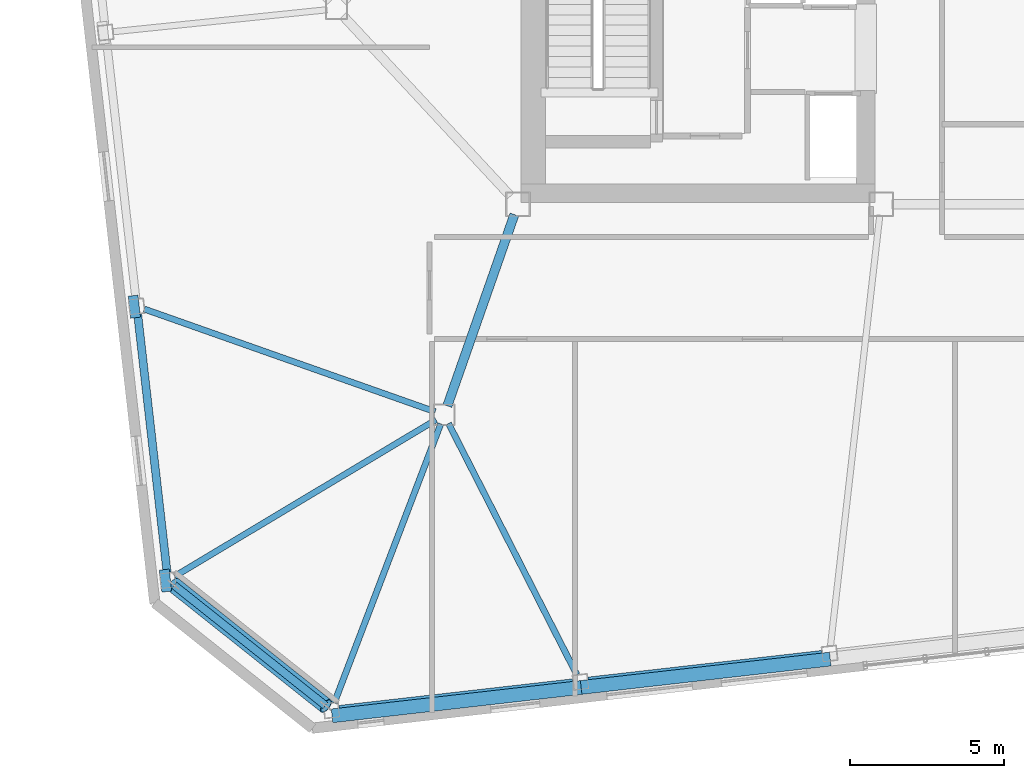
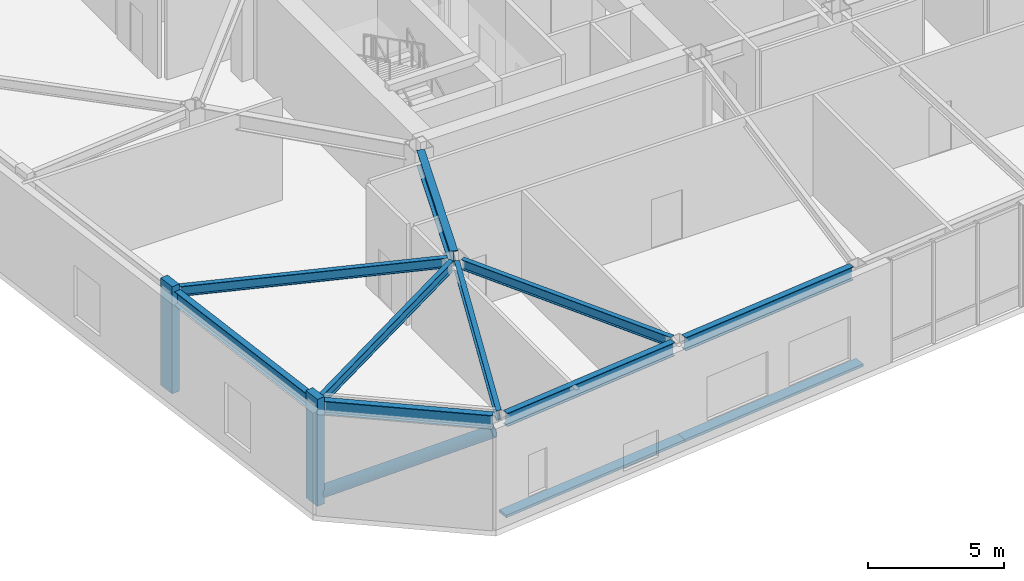
# One storey, part 5 of 21: 9 beams, 5 members.
"""IFC4 building model written with IfcOpenShell, lengths in metres."""

from ifc_helpers import new_model, si_unit, direction, frame, origin, origin_2d, place, context, subcontext, project, spatial, rectangle, hollow_circle, i_section, extrude, material, material_profile, profile_set, type_object, element, save


model = new_model("IFC4")

# Units and contexts
model_context = context("Model", 3, precision=1e-05, world=origin(), true_north=direction((0.0, 1.0)))
body_context = subcontext(model_context, "Body", "Model", "MODEL_VIEW")
ifc_project = project(units=[si_unit("LENGTHUNIT", "METRE"), si_unit("AREAUNIT", "SQUARE_METRE"), si_unit("VOLUMEUNIT", "CUBIC_METRE"), si_unit("PLANEANGLEUNIT", "RADIAN"), si_unit("MASSUNIT", "GRAM", prefix="KILO")], contexts=[model_context])

# Site, building, storey
site_placement = place(None, origin())
site = spatial("IfcSite", under=ifc_project, at=site_placement, CompositionType="ELEMENT")
building_placement = place(site_placement, origin())
building = spatial("IfcBuilding", under=site, at=building_placement, Name="Tavrogorsk Clinical Tower", CompositionType="ELEMENT")
storey_placement = place(building_placement, frame((0.0, 0.0, 238.199951171875)))
storey = spatial("IfcBuildingStorey", under=building, at=storey_placement, Name="L55", CompositionType="ELEMENT", Elevation=238.199951171875)

# Members
ifc_material_1 = material(Name="Anodised aluminium alloy AW-6063", Category="aluminium")
ifc_material_profile_1 = material_profile(ifc_material_1, rectangle(XDim=0.449951171875, YDim=0.1201171875, at=origin_2d()), Name="ALU-SUNSHADE-450x120")
ifc_profile_set_1 = profile_set([ifc_material_profile_1], Name="Anodised aluminium alloy AW-6063")
member_type_1 = type_object("IfcMemberType", Name="ChicagoSunshade_450x120", PredefinedType="USERDEFINED", material=ifc_profile_set_1)
for number, where, z_axis, x_axis, name in (
    (1, (-28.144287109375, -22.981201171875, 0.179931640625), (0.9935729766, 0.113193375116, 0.0), (-0.113193375116, 0.9935729766, 0.0), "L55 South Aluminium Sunshade S1"),
    (2, (-20.048095703125, -22.058837890625, 0.179931640625), (0.9935729766, 0.113193375116, 0.0), (-0.113193375116, 0.9935729766, 0.0), "L55 South Aluminium Sunshade S2"),
):
    element("IfcMember", number, at=place(storey_placement, frame(where, z_axis=z_axis, x_axis=x_axis)), inside=storey, type_object=member_type_1, Name=name, ObjectType="SUNSHADE", PredefinedType="USERDEFINED", context=body_context, shape_type="SweptSolid", body=[
        extrude(rectangle(XDim=0.449951171875, YDim=0.1201171875, at=origin_2d()), origin(), (0.0, 0.0, 1.0), 8.148681640625),
    ])
ifc_material_2 = material(Name="Structural steel S440", Category="steel")
ifc_material_profile_2 = material_profile(ifc_material_2, hollow_circle(Radius=0.25390625, WallThickness=0.02001953125, at=origin_2d()), Name="CHS-508x20")
ifc_profile_set_2 = profile_set([ifc_material_profile_2], Name="Structural steel S440")
member_type_2 = type_object("IfcMemberType", Name="ExoBrace_CHS508", PredefinedType="BRACE", material=ifc_profile_set_2)
member_placement = place(storey_placement, frame((-33.298828125, -18.71875, 0.420654296875), z_axis=(0.691823931456, -0.550275759846, 0.467521374903), x_axis=(0.622496730727, 0.782622399523, 0.0)))
element("IfcMember", 3, at=member_placement, inside=storey, type_object=member_type_2, Name="L55 Corner Exoskeleton Brace W5-S1", PredefinedType="BRACE", context=body_context, shape_type="SweptSolid", body=[
    extrude(hollow_circle(Radius=0.25390625, WallThickness=0.02001953125, at=origin_2d()), origin(), (0.0, 0.0, 1.0), 7.1630859375),
])

# Beams
ifc_material_3 = material(Name="Structural steel S355", Category="steel")
ifc_material_profile_3 = material_profile(ifc_material_3, i_section(OverallWidth=0.199951171875, OverallDepth=0.449951171875, WebThickness=0.011474609375, FlangeThickness=0.01806640625, at=origin_2d()), Name="B-450x200x11.5x18")
ifc_profile_set_3 = profile_set([ifc_material_profile_3], Name="Structural steel S355")
beam_type_1 = type_object("IfcBeamType", Name="FloorBeam_B450", PredefinedType="BEAM", material=ifc_profile_set_3)
beam_1_placement = place(storey_placement, frame((-24.610595703125, -13.489501953125, 4.31494140625), z_axis=(-0.356548354426, -0.93427687061, 0.0), x_axis=(0.93427687061, -0.356548354426, 0.0)))
element("IfcBeam", 4, at=beam_1_placement, inside=storey, type_object=beam_type_1, Name="L55 Radial Floor Beam S1", PredefinedType="BEAM", context=body_context, shape_type="SweptSolid", body=[
    extrude(i_section(OverallWidth=0.199951171875, OverallDepth=0.449951171875, WebThickness=0.011474609375, FlangeThickness=0.01806640625, at=origin_2d()), origin(), (0.0, 0.0, 1.0), 9.710205078125),
])
beam_2_placement = place(storey_placement, frame((-24.359130859375, -13.47607421875, 4.31494140625), z_axis=(0.454709818127, -0.890639647275, 0.0), x_axis=(0.890639647275, 0.454709818127, 0.0)))
element("IfcBeam", 5, at=beam_2_placement, inside=storey, type_object=beam_type_1, Name="L55 Radial Floor Beam S2", PredefinedType="BEAM", context=body_context, shape_type="SweptSolid", body=[
    extrude(i_section(OverallWidth=0.199951171875, OverallDepth=0.449951171875, WebThickness=0.011474609375, FlangeThickness=0.01806640625, at=origin_2d()), origin(), (0.0, 0.0, 1.0), 9.177978515625),
])
beam_3_placement = place(storey_placement, frame((-24.792236328125, -13.096923828125, 4.31494140625), z_axis=(-0.943014153926, 0.332752619067, 0.0), x_axis=(-0.332752619067, -0.943014153926, 0.0)))
element("IfcBeam", 6, at=beam_3_placement, inside=storey, type_object=beam_type_1, Name="L55 Radial Floor Beam W4", PredefinedType="BEAM", context=body_context, shape_type="SweptSolid", body=[
    extrude(i_section(OverallWidth=0.199951171875, OverallDepth=0.449951171875, WebThickness=0.011474609375, FlangeThickness=0.01806640625, at=origin_2d()), origin(), (0.0, 0.0, 1.0), 10.027587890625),
])
beam_4_placement = place(storey_placement, frame((-24.765869140625, -13.359375, 4.31494140625), z_axis=(-0.857906237315, -0.513806274754, 0.0), x_axis=(0.513806274754, -0.857906237315, 0.0)))
element("IfcBeam", 7, at=beam_4_placement, inside=storey, type_object=beam_type_1, Name="L55 Radial Floor Beam W5", PredefinedType="BEAM", context=body_context, shape_type="SweptSolid", body=[
    extrude(i_section(OverallWidth=0.199951171875, OverallDepth=0.449951171875, WebThickness=0.011474609375, FlangeThickness=0.01806640625, at=origin_2d()), origin(), (0.0, 0.0, 1.0), 9.896240234375),
])

# Members
ifc_material_4 = material(Name="Precast concrete B45 with limestone cladding", Category="masonry")
ifc_material_profile_4 = material_profile(ifc_material_4, rectangle(XDim=0.320068359375, YDim=0.719970703125, at=origin_2d()), Name="LIMESTONE-FIN-320x720")
ifc_profile_set_4 = profile_set([ifc_material_profile_4], Name="Precast concrete B45 with limestone cladding")
member_type_3 = type_object("IfcMemberType", Name="LimestonePleatFin_320x720", PredefinedType="USERDEFINED", material=ifc_profile_set_4)
for number, where, z_axis, x_axis, name in (
    (8, (-34.571044921875, -9.683349609375, 0.0), (0.0, 0.0, 1.0), (0.993571855677, 0.113203213768, 0.0), "L55 W Pleated Stone Fin 3"),
    (9, (-33.556640625, -18.585693359375, 0.0), (0.0, 0.0, 1.0), (0.993571855677, 0.113203213768, 0.0), "L55 W Pleated Stone Fin 4"),
):
    element("IfcMember", number, at=place(storey_placement, frame(where, z_axis=z_axis, x_axis=x_axis)), inside=storey, type_object=member_type_3, Name=name, ObjectType="FIN", PredefinedType="USERDEFINED", context=body_context, shape_type="SweptSolid", body=[
        extrude(rectangle(XDim=0.320068359375, YDim=0.719970703125, at=origin_2d()), origin(), (0.0, 0.0, 1.0), 4.800048828125),
    ])

# Beams
ifc_material_5 = material(Name="Structural steel S390", Category="steel")
ifc_material_profile_5 = material_profile(ifc_material_5, i_section(OverallWidth=0.300048828125, OverallDepth=0.699951171875, WebThickness=0.01708984375, FlangeThickness=0.028076171875, at=origin_2d()), Name="B-700x300x17x28")
ifc_profile_set_5 = profile_set([ifc_material_profile_5], Name="Structural steel S390")
beam_type_2 = type_object("IfcBeamType", Name="PrimaryGirder_B700", PredefinedType="USERDEFINED", material=ifc_profile_set_5)
beam_5_placement = place(storey_placement, frame((-24.3974609375, -12.907470703125, 4.18994140625), z_axis=(0.330654121425, 0.943752007672, 0.0), x_axis=(-0.943752007672, 0.330654121425, 0.0)))
element("IfcBeam", 10, at=beam_5_placement, inside=storey, type_object=beam_type_2, Name="L55 Spine Link Girder OPG-1", ObjectType="GIRDER", PredefinedType="USERDEFINED", context=body_context, shape_type="SweptSolid", body=[
    extrude(i_section(OverallWidth=0.300048828125, OverallDepth=0.699951171875, WebThickness=0.01708984375, FlangeThickness=0.028076171875, at=origin_2d()), origin(), (0.0, 0.0, 1.0), 6.58837890625),
])
ifc_material_6 = material(Name="Structural steel S390", Category="steel")
ifc_material_profile_6 = material_profile(ifc_material_6, i_section(OverallWidth=0.260009765625, OverallDepth=0.60009765625, WebThickness=0.014892578125, FlangeThickness=0.02392578125, at=origin_2d()), Name="B-600x260x15x24")
ifc_profile_set_6 = profile_set([ifc_material_profile_6], Name="Structural steel S390")
beam_type_3 = type_object("IfcBeamType", Name="SpandrelBeam_B600", PredefinedType="SPANDREL", material=ifc_profile_set_6)
for number, where, z_axis, x_axis, name in (
    (11, (-27.908447265625, -22.773193359375, 4.239990234375), (0.993575697004, 0.113169493787, 0.0), (-0.113169493787, 0.993575697004, 0.0), "L55 Perimeter Spandrel S1-S2"),
    (12, (-19.812255859375, -21.850830078125, 4.239990234375), (0.993572099834, 0.113201070804, 0.0), (-0.113201070804, 0.993572099834, 0.0), "L55 Perimeter Spandrel S2-S3"),
):
    element("IfcBeam", number, at=place(storey_placement, frame(where, z_axis=z_axis, x_axis=x_axis)), inside=storey, type_object=beam_type_3, Name=name, PredefinedType="SPANDREL", context=body_context, shape_type="SweptSolid", body=[
        extrude(i_section(OverallWidth=0.260009765625, OverallDepth=0.60009765625, WebThickness=0.014892578125, FlangeThickness=0.02392578125, at=origin_2d()), origin(), (0.0, 0.0, 1.0), 7.632568359375),
    ])
beam_6_placement = place(storey_placement, frame((-34.46240234375, -9.9306640625, 4.239990234375), z_axis=(0.113223671813, -0.993569524563, 0.0), x_axis=(0.993569524563, 0.113223671813, 0.0)))
element("IfcBeam", 13, at=beam_6_placement, inside=storey, type_object=beam_type_3, Name="L55 Perimeter Spandrel W4-W5", PredefinedType="SPANDREL", context=body_context, shape_type="SweptSolid", body=[
    extrude(i_section(OverallWidth=0.260009765625, OverallDepth=0.60009765625, WebThickness=0.014892578125, FlangeThickness=0.02392578125, at=origin_2d()), origin(), (0.0, 0.0, 1.0), 8.44384765625),
])
beam_7_placement = place(storey_placement, frame((-33.275390625, -18.7373046875, 4.239990234375), z_axis=(0.782608811853, -0.622513813188, 0.0), x_axis=(0.622513813188, 0.782608811853, 0.0)))
element("IfcBeam", 14, at=beam_7_placement, inside=storey, type_object=beam_type_3, Name="L55 Perimeter Spandrel W5-S1", PredefinedType="SPANDREL", context=body_context, shape_type="SweptSolid", body=[
    extrude(i_section(OverallWidth=0.260009765625, OverallDepth=0.60009765625, WebThickness=0.014892578125, FlangeThickness=0.02392578125, at=origin_2d()), origin(), (0.0, 0.0, 1.0), 6.272216796875),
])

save(model, "model.ifc")
